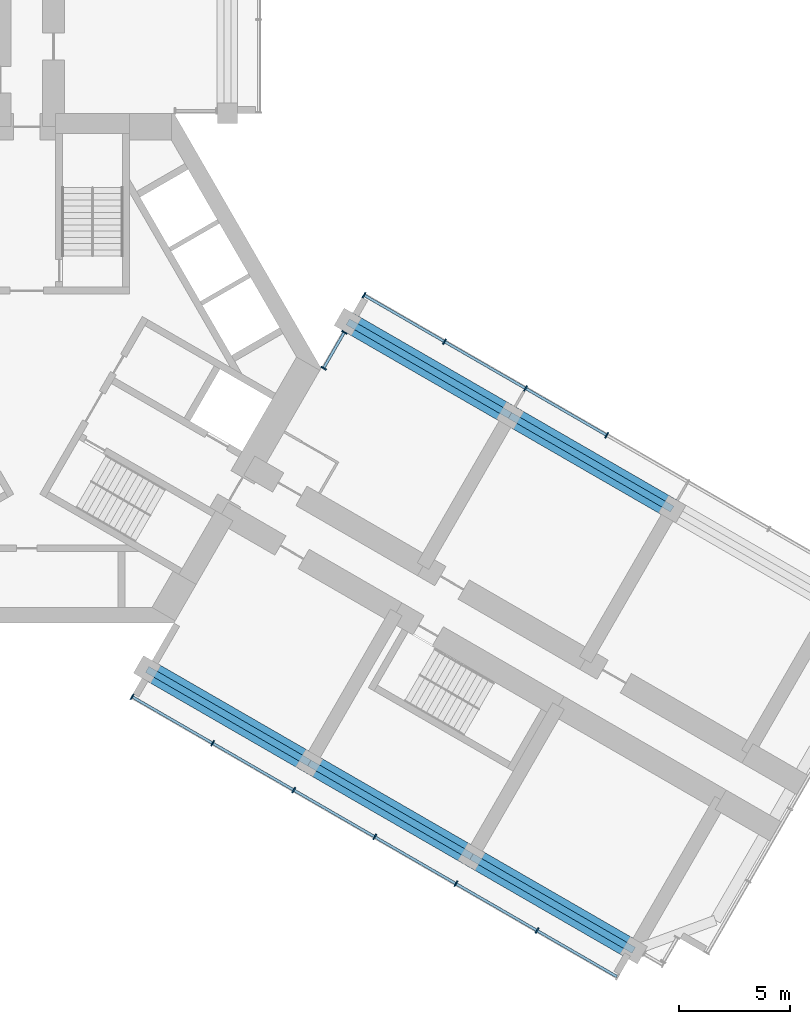
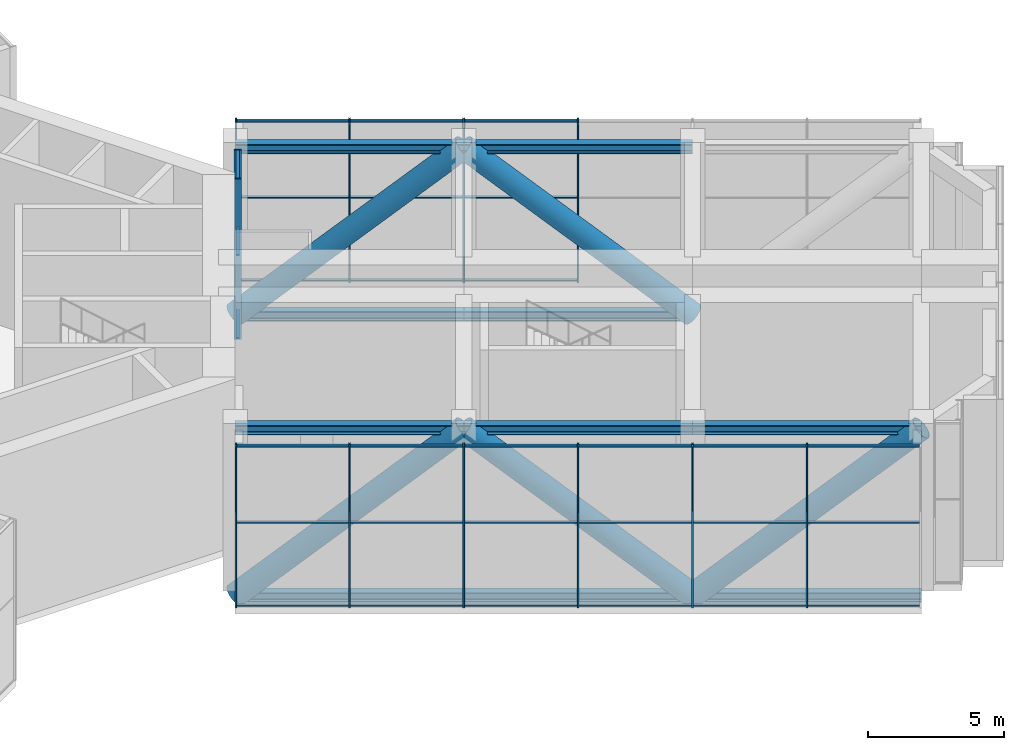
# One storey, part 4 of 16: 57 members, 3 elements without a shape of their own.
"""IFC4 building model written with IfcOpenShell, lengths in metres."""

from ifc_helpers import new_model, si_unit, direction, frame, origin, origin_2d, place, context, subcontext, project, spatial, rectangle, hollow_circle, i_section, extrude, material, material_profile, profile_set, type_object, element, aggregate, save


model = new_model("IFC4")

# Units and contexts
model_context = context("Model", 3, precision=1e-05, world=origin(), true_north=direction((0.0, 1.0)))
body_context = subcontext(model_context, "Body", "Model", "MODEL_VIEW")
ifc_project = project(units=[si_unit("LENGTHUNIT", "METRE"), si_unit("AREAUNIT", "SQUARE_METRE"), si_unit("VOLUMEUNIT", "CUBIC_METRE"), si_unit("PLANEANGLEUNIT", "RADIAN"), si_unit("MASSUNIT", "GRAM", prefix="KILO")], contexts=[model_context])

# Site, building, storey
site_placement = place(None, origin())
site = spatial("IfcSite", under=ifc_project, at=site_placement, CompositionType="ELEMENT")
building_placement = place(site_placement, origin())
building = spatial("IfcBuilding", under=site, at=building_placement, Name="Impinga Residences", CompositionType="ELEMENT")
storey_placement = place(building_placement, frame((0.0, 0.0, 181.0)))
storey = spatial("IfcBuildingStorey", under=building, at=storey_placement, Name="L45", CompositionType="ELEMENT", Elevation=181.0)

# Members
ifc_material_1 = material(Name="Steel S355", Category="steel")
ifc_material_profile_1 = material_profile(ifc_material_1, i_section(OverallWidth=0.306884765625, OverallDepth=0.431884765625, WebThickness=0.02099609375, FlangeThickness=0.0400390625, FilletRadius=0.027099609375, at=origin_2d()), Name="HE 400 M")
ifc_profile_set_1 = profile_set([ifc_material_profile_1], Name="Steel S355")
member_type_1 = type_object("IfcMemberType", Name="BT1 HE 400 M belt truss chord", PredefinedType="CHORD", material=ifc_profile_set_1)
for number, where, z_axis, x_axis, name in (
    (1, (14.39990234375, 2.078369140625, -0.51611328125), (0.86602925447, -0.499993330357, 0.0), (0.499993330357, 0.86602925447, 0.0), "Belt truss chord BT1 EA E1-E2 L45"),
    (2, (14.39990234375, 2.078369140625, 6.98388671875), (0.86602925447, -0.499993330357, 0.0), (0.499993330357, 0.86602925447, 0.0), "Belt truss chord BT1 EA E1-E2 L45"),
    (3, (21.674560546875, -2.12158203125, -0.51611328125), (0.86602925447, -0.499993330357, 0.0), (0.499993330357, 0.86602925447, 0.0), "Belt truss chord BT1 EA E2-E3 L45"),
    (4, (21.674560546875, -2.12158203125, 6.98388671875), (0.86602925447, -0.499993330357, 0.0), (0.499993330357, 0.86602925447, 0.0), "Belt truss chord BT1 EA E2-E3 L45"),
    (5, (5.39990234375, -13.510009765625, -0.51611328125), (0.86602925447, -0.499993330357, 0.0), (0.499993330357, 0.86602925447, 0.0), "Belt truss chord BT1 EF E1-E2 L45"),
    (6, (5.39990234375, -13.510009765625, 6.98388671875), (0.86602925447, -0.499993330357, 0.0), (0.499993330357, 0.86602925447, 0.0), "Belt truss chord BT1 EF E1-E2 L45"),
    (7, (12.674560546875, -17.7099609375, -0.51611328125), (0.86602925447, -0.499993330357, 0.0), (0.499993330357, 0.86602925447, 0.0), "Belt truss chord BT1 EF E2-E3 L45"),
    (8, (12.674560546875, -17.7099609375, 6.98388671875), (0.86602925447, -0.499993330357, 0.0), (0.499993330357, 0.86602925447, 0.0), "Belt truss chord BT1 EF E2-E3 L45"),
):
    element("IfcMember", number, at=place(storey_placement, frame(where, z_axis=z_axis, x_axis=x_axis)), inside=storey, type_object=member_type_1, Name=name, PredefinedType="CHORD", context=body_context, shape_type="SweptSolid", body=[
        extrude(i_section(OverallWidth=0.306884765625, OverallDepth=0.431884765625, WebThickness=0.02099609375, FlangeThickness=0.0400390625, FilletRadius=0.027099609375, at=origin_2d()), origin(), (0.0, 0.0, 1.0), 8.39990234375),
    ])
for number, where, z_axis, x_axis, name in (
    (9, (19.94921875, -21.909912109375, -0.51611328125), (0.866016669275, -0.500015128309, 0.0), (0.500015128309, 0.866016669275, 0.0), "Belt truss chord BT1 EF E3-E4 L45"),
    (10, (19.94921875, -21.909912109375, 6.98388671875), (0.866016669275, -0.500015128309, 0.0), (0.500015128309, 0.866016669275, 0.0), "Belt truss chord BT1 EF E3-E4 L45"),
):
    element("IfcMember", number, at=place(storey_placement, frame(where, z_axis=z_axis, x_axis=x_axis)), inside=storey, type_object=member_type_1, Name=name, PredefinedType="CHORD", context=body_context, shape_type="SweptSolid", body=[
        extrude(i_section(OverallWidth=0.306884765625, OverallDepth=0.431884765625, WebThickness=0.02099609375, FlangeThickness=0.0400390625, FilletRadius=0.027099609375, at=origin_2d()), origin(), (0.0, 0.0, 1.0), 8.400146484375),
    ])
ifc_material_2 = material(Name="Steel S355J2H", Category="steel")
ifc_material_profile_2 = material_profile(ifc_material_2, hollow_circle(Radius=0.457275390625, WallThickness=0.02490234375, at=origin_2d()), Name="CHS 914.4x25")
ifc_profile_set_2 = profile_set([ifc_material_profile_2], Name="Steel S355J2H")
member_type_2 = type_object("IfcMemberType", Name="BT3 CHS 914.4x25 belt truss diagonal at L45", PredefinedType="BRACE", material=ifc_profile_set_2)
for number, where, z_axis, x_axis, name in (
    (11, (14.39990234375, 2.078369140625, -0.51611328125), (0.646004328005, -0.372964139164, 0.666015134285), (0.499993330357, 0.86602925447, 0.0), "Belt truss diagonal BT3 EA E1-E2 L45"),
    (12, (21.674560546875, -2.12158203125, 6.98388671875), (0.646004328005, -0.372964139164, -0.666015134285), (0.499993330357, 0.86602925447, 0.0), "Belt truss diagonal BT3 EA E2-E3 L45"),
    (13, (5.39990234375, -13.510009765625, -0.51611328125), (0.646004328005, -0.372964139164, 0.666015134285), (0.499993330357, 0.86602925447, 0.0), "Belt truss diagonal BT3 EF E1-E2 L45"),
    (14, (12.674560546875, -17.7099609375, 6.98388671875), (0.646004328005, -0.372964139164, -0.666015134285), (0.499993330357, 0.86602925447, 0.0), "Belt truss diagonal BT3 EF E2-E3 L45"),
    (15, (19.94921875, -21.909912109375, -0.51611328125), (0.645999104371, -0.372982803356, 0.666009748843), (0.500015128309, 0.866016669275, 0.0), "Belt truss diagonal BT3 EF E3-E4 L45"),
):
    element("IfcMember", number, at=place(storey_placement, frame(where, z_axis=z_axis, x_axis=x_axis)), inside=storey, type_object=member_type_2, Name=name, PredefinedType="BRACE", context=body_context, shape_type="SweptSolid", body=[
        extrude(hollow_circle(Radius=0.457275390625, WallThickness=0.02490234375, at=origin_2d()), origin(), (0.0, 0.0, 1.0), 11.260986328125),
    ])

# Curtain wall, members
ifc_material_3 = material(Name="Aluminium stick curtain wall", Category="aluminium")
curtain_wall_type = type_object("IfcCurtainWallType", Name="CW4 plant floor louvred curtain wall", PredefinedType="USERDEFINED", material=ifc_material_3)
curtain_wall_1_placement = place(storey_placement, origin())
curtain_wall_1 = element("IfcCurtainWall", 16, at=curtain_wall_1_placement, inside=storey, type_object=curtain_wall_type, Name="Curtain wall CW4 L45", ObjectType="STICK CURTAIN WALL", PredefinedType="USERDEFINED")
ifc_material_4 = material(Name="Aluminium mullion", Category="aluminium")
ifc_material_profile_3 = material_profile(ifc_material_4, rectangle(XDim=0.06005859375, YDim=0.27490234375, at=origin_2d()), Name="60x275 mullion")
ifc_profile_set_3 = profile_set([ifc_material_profile_3], Name="Aluminium mullion")
member_type_3 = type_object("IfcMemberType", Name="CW4-M mullion 60x275", PredefinedType="MULLION", material=ifc_profile_set_3)
member_1_placement = place(storey_placement, frame((13.314208984375, -0.002197265625, 0.0), z_axis=(0.0, 0.0, 1.0), x_axis=(0.500000139919, 0.866025323002, 0.0)))
member_1 = element("IfcMember", 17, at=member_1_placement, type_object=member_type_3, Name="CW4 mullion 1", PredefinedType="MULLION", context=body_context, shape_type="SweptSolid", body=[
    extrude(rectangle(XDim=0.06005859375, YDim=0.27490234375, at=origin_2d()), origin(), (0.0, 0.0, 1.0), 7.199951171875),
])
member_2_placement = place(storey_placement, frame((14.2451171875, 1.610107421875, 0.0), z_axis=(0.0, 0.0, 1.0), x_axis=(0.500000139919, 0.866025323002, 0.0)))
member_2 = element("IfcMember", 18, at=member_2_placement, type_object=member_type_3, Name="CW4 mullion 2", PredefinedType="MULLION", context=body_context, shape_type="SweptSolid", body=[
    extrude(rectangle(XDim=0.06005859375, YDim=0.27490234375, at=origin_2d()), origin(), (0.0, 0.0, 1.0), 7.199951171875),
])

curtain_wall_2_placement = place(storey_placement, origin())
curtain_wall_2 = element("IfcCurtainWall", 19, at=curtain_wall_2_placement, inside=storey, type_object=curtain_wall_type, Name="Curtain wall CW4 L45", ObjectType="STICK CURTAIN WALL", PredefinedType="USERDEFINED")
member_3_placement = place(storey_placement, frame((15.1259765625, 3.27587890625, 0.0), z_axis=(0.0, 0.0, 1.0), x_axis=(0.866025402048, -0.500000003008, 0.0)))
member_3 = element("IfcMember", 20, at=member_3_placement, type_object=member_type_3, Name="CW4 mullion 1", PredefinedType="MULLION", context=body_context, shape_type="SweptSolid", body=[
    extrude(rectangle(XDim=0.06005859375, YDim=0.27490234375, at=origin_2d()), origin(), (0.0, 0.0, 1.0), 7.199951171875),
])
member_4_placement = place(storey_placement, frame((18.7373046875, 1.19091796875, 0.0), z_axis=(0.0, 0.0, 1.0), x_axis=(0.866025402048, -0.500000003008, 0.0)))
member_4 = element("IfcMember", 21, at=member_4_placement, type_object=member_type_3, Name="CW4 mullion 2", PredefinedType="MULLION", context=body_context, shape_type="SweptSolid", body=[
    extrude(rectangle(XDim=0.06005859375, YDim=0.27490234375, at=origin_2d()), origin(), (0.0, 0.0, 1.0), 7.199951171875),
])
member_5_placement = place(storey_placement, frame((22.37451171875, -0.9091796875, 0.0), z_axis=(0.0, 0.0, 1.0), x_axis=(0.866025402048, -0.500000003008, 0.0)))
member_5 = element("IfcMember", 22, at=member_5_placement, type_object=member_type_3, Name="CW4 mullion 3", PredefinedType="MULLION", context=body_context, shape_type="SweptSolid", body=[
    extrude(rectangle(XDim=0.06005859375, YDim=0.27490234375, at=origin_2d()), origin(), (0.0, 0.0, 1.0), 7.199951171875),
])
member_6_placement = place(storey_placement, frame((26.011962890625, -3.009033203125, 0.0), z_axis=(0.0, 0.0, 1.0), x_axis=(0.866025402048, -0.500000003008, 0.0)))
member_6 = element("IfcMember", 23, at=member_6_placement, type_object=member_type_3, Name="CW4 mullion 4", PredefinedType="MULLION", context=body_context, shape_type="SweptSolid", body=[
    extrude(rectangle(XDim=0.06005859375, YDim=0.27490234375, at=origin_2d()), origin(), (0.0, 0.0, 1.0), 7.199951171875),
])

curtain_wall_3_placement = place(storey_placement, origin())
curtain_wall_3 = element("IfcCurtainWall", 24, at=curtain_wall_3_placement, inside=storey, type_object=curtain_wall_type, Name="Curtain wall CW4 L45", ObjectType="STICK CURTAIN WALL", PredefinedType="USERDEFINED")
member_7_placement = place(storey_placement, frame((22.886474609375, -25.222412109375, 0.0), z_axis=(0.0, 0.0, 1.0), x_axis=(-0.866025402048, 0.500000003008, 0.0)))
member_7 = element("IfcMember", 25, at=member_7_placement, type_object=member_type_3, Name="CW4 mullion 2", PredefinedType="MULLION", context=body_context, shape_type="SweptSolid", body=[
    extrude(rectangle(XDim=0.06005859375, YDim=0.27490234375, at=origin_2d()), origin(), (0.0, 0.0, 1.0), 7.199951171875),
])
member_8_placement = place(storey_placement, frame((19.249267578125, -23.122314453125, 0.0), z_axis=(0.0, 0.0, 1.0), x_axis=(-0.866025402048, 0.500000003008, 0.0)))
member_8 = element("IfcMember", 26, at=member_8_placement, type_object=member_type_3, Name="CW4 mullion 3", PredefinedType="MULLION", context=body_context, shape_type="SweptSolid", body=[
    extrude(rectangle(XDim=0.06005859375, YDim=0.27490234375, at=origin_2d()), origin(), (0.0, 0.0, 1.0), 7.199951171875),
])
member_9_placement = place(storey_placement, frame((15.61181640625, -21.0224609375, 0.0), z_axis=(0.0, 0.0, 1.0), x_axis=(-0.866025402048, 0.500000003008, 0.0)))
member_9 = element("IfcMember", 27, at=member_9_placement, type_object=member_type_3, Name="CW4 mullion 4", PredefinedType="MULLION", context=body_context, shape_type="SweptSolid", body=[
    extrude(rectangle(XDim=0.06005859375, YDim=0.27490234375, at=origin_2d()), origin(), (0.0, 0.0, 1.0), 7.199951171875),
])
member_10_placement = place(storey_placement, frame((11.974609375, -18.92236328125, 0.0), z_axis=(0.0, 0.0, 1.0), x_axis=(-0.866025402048, 0.500000003008, 0.0)))
member_10 = element("IfcMember", 28, at=member_10_placement, type_object=member_type_3, Name="CW4 mullion 5", PredefinedType="MULLION", context=body_context, shape_type="SweptSolid", body=[
    extrude(rectangle(XDim=0.06005859375, YDim=0.27490234375, at=origin_2d()), origin(), (0.0, 0.0, 1.0), 7.199951171875),
])
member_11_placement = place(storey_placement, frame((8.33740234375, -16.822509765625, 0.0), z_axis=(0.0, 0.0, 1.0), x_axis=(-0.866025402048, 0.500000003008, 0.0)))
member_11 = element("IfcMember", 29, at=member_11_placement, type_object=member_type_3, Name="CW4 mullion 6", PredefinedType="MULLION", context=body_context, shape_type="SweptSolid", body=[
    extrude(rectangle(XDim=0.06005859375, YDim=0.27490234375, at=origin_2d()), origin(), (0.0, 0.0, 1.0), 7.199951171875),
])
member_12_placement = place(storey_placement, frame((4.72607421875, -14.737548828125, 0.0), z_axis=(0.0, 0.0, 1.0), x_axis=(-0.866025402048, 0.500000003008, 0.0)))
member_12 = element("IfcMember", 30, at=member_12_placement, type_object=member_type_3, Name="CW4 mullion 7", PredefinedType="MULLION", context=body_context, shape_type="SweptSolid", body=[
    extrude(rectangle(XDim=0.06005859375, YDim=0.27490234375, at=origin_2d()), origin(), (0.0, 0.0, 1.0), 7.199951171875),
])

# Member
ifc_material_5 = material(Name="Aluminium transom", Category="aluminium")
ifc_material_profile_4 = material_profile(ifc_material_5, rectangle(XDim=0.06005859375, YDim=0.1201171875, at=origin_2d()), Name="60x120 transom")
ifc_profile_set_4 = profile_set([ifc_material_profile_4], Name="Aluminium transom")
member_type_4 = type_object("IfcMemberType", Name="CW4-T transom 60x120", PredefinedType="USERDEFINED", material=ifc_profile_set_4)
member_13_placement = place(storey_placement, frame((13.3291015625, 0.023681640625, 0.030029296875), z_axis=(0.500058636115, 0.865991547561, 0.0), x_axis=(0.0, 0.0, 1.0)))
member_13 = element("IfcMember", 31, at=member_13_placement, type_object=member_type_4, Name="CW4 transom 1.1", ObjectType="TRANSOM", PredefinedType="USERDEFINED", context=body_context, shape_type="SweptSolid", body=[
    extrude(rectangle(XDim=0.06005859375, YDim=0.1201171875, at=origin_2d()), origin(), (0.0, 0.0, 1.0), 1.802001953125),
])

member_14_placement = place(storey_placement, frame((13.3291015625, 0.023681640625, 3.75), z_axis=(0.500058636115, 0.865991547561, 0.0), x_axis=(0.0, 0.0, 1.0)))
member_14 = element("IfcMember", 32, at=member_14_placement, type_object=member_type_4, Name="CW4 transom 1.2", ObjectType="TRANSOM", PredefinedType="USERDEFINED", context=body_context, shape_type="SweptSolid", body=[
    extrude(rectangle(XDim=0.06005859375, YDim=0.1201171875, at=origin_2d()), origin(), (0.0, 0.0, 1.0), 1.802001953125),
])

member_15_placement = place(storey_placement, frame((13.3291015625, 0.023681640625, 7.169921875), z_axis=(0.500058636115, 0.865991547561, 0.0), x_axis=(0.0, 0.0, 1.0)))
member_15 = element("IfcMember", 33, at=member_15_placement, type_object=member_type_4, Name="CW4 transom 1.3", ObjectType="TRANSOM", PredefinedType="USERDEFINED", context=body_context, shape_type="SweptSolid", body=[
    extrude(rectangle(XDim=0.06005859375, YDim=0.1201171875, at=origin_2d()), origin(), (0.0, 0.0, 1.0), 1.802001953125),
])

aggregate(curtain_wall_1, [member_1, member_2, member_13, member_14, member_15])

member_16_placement = place(storey_placement, frame((15.15185546875, 3.260986328125, 0.030029296875), z_axis=(0.866019409031, -0.500010383074, 0.0), x_axis=(0.0, 0.0, 1.0)))
member_16 = element("IfcMember", 34, at=member_16_placement, type_object=member_type_4, Name="CW4 transom 1.1", ObjectType="TRANSOM", PredefinedType="USERDEFINED", context=body_context, shape_type="SweptSolid", body=[
    extrude(rectangle(XDim=0.06005859375, YDim=0.1201171875, at=origin_2d()), origin(), (0.0, 0.0, 1.0), 4.1103515625),
])

member_17_placement = place(storey_placement, frame((15.15185546875, 3.260986328125, 3.75), z_axis=(0.866019409031, -0.500010383074, 0.0), x_axis=(0.0, 0.0, 1.0)))
member_17 = element("IfcMember", 35, at=member_17_placement, type_object=member_type_4, Name="CW4 transom 1.2", ObjectType="TRANSOM", PredefinedType="USERDEFINED", context=body_context, shape_type="SweptSolid", body=[
    extrude(rectangle(XDim=0.06005859375, YDim=0.1201171875, at=origin_2d()), origin(), (0.0, 0.0, 1.0), 4.1103515625),
])

member_18_placement = place(storey_placement, frame((15.15185546875, 3.260986328125, 7.169921875), z_axis=(0.866019409031, -0.500010383074, 0.0), x_axis=(0.0, 0.0, 1.0)))
member_18 = element("IfcMember", 36, at=member_18_placement, type_object=member_type_4, Name="CW4 transom 1.3", ObjectType="TRANSOM", PredefinedType="USERDEFINED", context=body_context, shape_type="SweptSolid", body=[
    extrude(rectangle(XDim=0.06005859375, YDim=0.1201171875, at=origin_2d()), origin(), (0.0, 0.0, 1.0), 4.1103515625),
])

member_19_placement = place(storey_placement, frame((18.76318359375, 1.17578125, 0.030029296875), z_axis=(0.866050071143, -0.499957272447, 0.0), x_axis=(0.0, 0.0, 1.0)))
member_19 = element("IfcMember", 37, at=member_19_placement, type_object=member_type_4, Name="CW4 transom 2.1", ObjectType="TRANSOM", PredefinedType="USERDEFINED", context=body_context, shape_type="SweptSolid", body=[
    extrude(rectangle(XDim=0.06005859375, YDim=0.1201171875, at=origin_2d()), origin(), (0.0, 0.0, 1.0), 4.139892578125),
])

member_20_placement = place(storey_placement, frame((18.76318359375, 1.17578125, 3.75), z_axis=(0.866050071143, -0.499957272447, 0.0), x_axis=(0.0, 0.0, 1.0)))
member_20 = element("IfcMember", 38, at=member_20_placement, type_object=member_type_4, Name="CW4 transom 2.2", ObjectType="TRANSOM", PredefinedType="USERDEFINED", context=body_context, shape_type="SweptSolid", body=[
    extrude(rectangle(XDim=0.06005859375, YDim=0.1201171875, at=origin_2d()), origin(), (0.0, 0.0, 1.0), 4.139892578125),
])

member_21_placement = place(storey_placement, frame((18.76318359375, 1.17578125, 7.169921875), z_axis=(0.866050071143, -0.499957272447, 0.0), x_axis=(0.0, 0.0, 1.0)))
member_21 = element("IfcMember", 39, at=member_21_placement, type_object=member_type_4, Name="CW4 transom 2.3", ObjectType="TRANSOM", PredefinedType="USERDEFINED", context=body_context, shape_type="SweptSolid", body=[
    extrude(rectangle(XDim=0.06005859375, YDim=0.1201171875, at=origin_2d()), origin(), (0.0, 0.0, 1.0), 4.139892578125),
])

member_22_placement = place(storey_placement, frame((22.400634765625, -0.924072265625, 0.030029296875), z_axis=(0.866009793405, -0.500027036996, 0.0), x_axis=(0.0, 0.0, 1.0)))
member_22 = element("IfcMember", 40, at=member_22_placement, type_object=member_type_4, Name="CW4 transom 3.1", ObjectType="TRANSOM", PredefinedType="USERDEFINED", context=body_context, shape_type="SweptSolid", body=[
    extrude(rectangle(XDim=0.06005859375, YDim=0.1201171875, at=origin_2d()), origin(), (0.0, 0.0, 1.0), 4.139892578125),
])

member_23_placement = place(storey_placement, frame((22.400634765625, -0.924072265625, 3.75), z_axis=(0.866009793405, -0.500027036996, 0.0), x_axis=(0.0, 0.0, 1.0)))
member_23 = element("IfcMember", 41, at=member_23_placement, type_object=member_type_4, Name="CW4 transom 3.2", ObjectType="TRANSOM", PredefinedType="USERDEFINED", context=body_context, shape_type="SweptSolid", body=[
    extrude(rectangle(XDim=0.06005859375, YDim=0.1201171875, at=origin_2d()), origin(), (0.0, 0.0, 1.0), 4.139892578125),
])

member_24_placement = place(storey_placement, frame((22.400634765625, -0.924072265625, 7.169921875), z_axis=(0.866009793405, -0.500027036996, 0.0), x_axis=(0.0, 0.0, 1.0)))
member_24 = element("IfcMember", 42, at=member_24_placement, type_object=member_type_4, Name="CW4 transom 3.3", ObjectType="TRANSOM", PredefinedType="USERDEFINED", context=body_context, shape_type="SweptSolid", body=[
    extrude(rectangle(XDim=0.06005859375, YDim=0.1201171875, at=origin_2d()), origin(), (0.0, 0.0, 1.0), 4.139892578125),
])

aggregate(curtain_wall_2, [member_3, member_4, member_5, member_6, member_16, member_17, member_18, member_19, member_20, member_21, member_22, member_23, member_24])

member_25_placement = place(storey_placement, frame((26.471923828125, -27.29248046875, 0.030029296875), z_axis=(-0.866030279993, 0.499991554064, 0.0), x_axis=(0.0, 0.0, 1.0)))
member_25 = element("IfcMember", 43, at=member_25_placement, type_object=member_type_4, Name="CW4 transom 1.1", ObjectType="TRANSOM", PredefinedType="USERDEFINED", context=body_context, shape_type="SweptSolid", body=[
    extrude(rectangle(XDim=0.06005859375, YDim=0.1201171875, at=origin_2d()), origin(), (0.0, 0.0, 1.0), 4.10986328125),
])

member_26_placement = place(storey_placement, frame((26.471923828125, -27.29248046875, 3.75), z_axis=(-0.866030279993, 0.499991554064, 0.0), x_axis=(0.0, 0.0, 1.0)))
member_26 = element("IfcMember", 44, at=member_26_placement, type_object=member_type_4, Name="CW4 transom 1.2", ObjectType="TRANSOM", PredefinedType="USERDEFINED", context=body_context, shape_type="SweptSolid", body=[
    extrude(rectangle(XDim=0.06005859375, YDim=0.1201171875, at=origin_2d()), origin(), (0.0, 0.0, 1.0), 4.10986328125),
])

member_27_placement = place(storey_placement, frame((26.471923828125, -27.29248046875, 7.169921875), z_axis=(-0.866030279993, 0.499991554064, 0.0), x_axis=(0.0, 0.0, 1.0)))
member_27 = element("IfcMember", 45, at=member_27_placement, type_object=member_type_4, Name="CW4 transom 1.3", ObjectType="TRANSOM", PredefinedType="USERDEFINED", context=body_context, shape_type="SweptSolid", body=[
    extrude(rectangle(XDim=0.06005859375, YDim=0.1201171875, at=origin_2d()), origin(), (0.0, 0.0, 1.0), 4.10986328125),
])

member_28_placement = place(storey_placement, frame((22.860595703125, -25.20751953125, 0.030029296875), z_axis=(-0.866024536972, 0.500001501361, 0.0), x_axis=(0.0, 0.0, 1.0)))
member_28 = element("IfcMember", 46, at=member_28_placement, type_object=member_type_4, Name="CW4 transom 2.1", ObjectType="TRANSOM", PredefinedType="USERDEFINED", context=body_context, shape_type="SweptSolid", body=[
    extrude(rectangle(XDim=0.06005859375, YDim=0.1201171875, at=origin_2d()), origin(), (0.0, 0.0, 1.0), 4.14013671875),
])

member_29_placement = place(storey_placement, frame((22.860595703125, -25.20751953125, 3.75), z_axis=(-0.866024536972, 0.500001501361, 0.0), x_axis=(0.0, 0.0, 1.0)))
member_29 = element("IfcMember", 47, at=member_29_placement, type_object=member_type_4, Name="CW4 transom 2.2", ObjectType="TRANSOM", PredefinedType="USERDEFINED", context=body_context, shape_type="SweptSolid", body=[
    extrude(rectangle(XDim=0.06005859375, YDim=0.1201171875, at=origin_2d()), origin(), (0.0, 0.0, 1.0), 4.14013671875),
])

member_30_placement = place(storey_placement, frame((22.860595703125, -25.20751953125, 7.169921875), z_axis=(-0.866024536972, 0.500001501361, 0.0), x_axis=(0.0, 0.0, 1.0)))
member_30 = element("IfcMember", 48, at=member_30_placement, type_object=member_type_4, Name="CW4 transom 2.3", ObjectType="TRANSOM", PredefinedType="USERDEFINED", context=body_context, shape_type="SweptSolid", body=[
    extrude(rectangle(XDim=0.06005859375, YDim=0.1201171875, at=origin_2d()), origin(), (0.0, 0.0, 1.0), 4.14013671875),
])

member_31_placement = place(storey_placement, frame((19.22314453125, -23.107421875, 0.030029296875), z_axis=(-0.866009793405, 0.500027036996, 0.0), x_axis=(0.0, 0.0, 1.0)))
member_31 = element("IfcMember", 49, at=member_31_placement, type_object=member_type_4, Name="CW4 transom 3.1", ObjectType="TRANSOM", PredefinedType="USERDEFINED", context=body_context, shape_type="SweptSolid", body=[
    extrude(rectangle(XDim=0.06005859375, YDim=0.1201171875, at=origin_2d()), origin(), (0.0, 0.0, 1.0), 4.139892578125),
])

member_32_placement = place(storey_placement, frame((19.22314453125, -23.107421875, 3.75), z_axis=(-0.866009793405, 0.500027036996, 0.0), x_axis=(0.0, 0.0, 1.0)))
member_32 = element("IfcMember", 50, at=member_32_placement, type_object=member_type_4, Name="CW4 transom 3.2", ObjectType="TRANSOM", PredefinedType="USERDEFINED", context=body_context, shape_type="SweptSolid", body=[
    extrude(rectangle(XDim=0.06005859375, YDim=0.1201171875, at=origin_2d()), origin(), (0.0, 0.0, 1.0), 4.139892578125),
])

member_33_placement = place(storey_placement, frame((19.22314453125, -23.107421875, 7.169921875), z_axis=(-0.866009793405, 0.500027036996, 0.0), x_axis=(0.0, 0.0, 1.0)))
member_33 = element("IfcMember", 51, at=member_33_placement, type_object=member_type_4, Name="CW4 transom 3.3", ObjectType="TRANSOM", PredefinedType="USERDEFINED", context=body_context, shape_type="SweptSolid", body=[
    extrude(rectangle(XDim=0.06005859375, YDim=0.1201171875, at=origin_2d()), origin(), (0.0, 0.0, 1.0), 4.139892578125),
])

member_34_placement = place(storey_placement, frame((15.5859375, -21.00732421875, 0.030029296875), z_axis=(-0.866050071143, 0.499957272447, 0.0), x_axis=(0.0, 0.0, 1.0)))
member_34 = element("IfcMember", 52, at=member_34_placement, type_object=member_type_4, Name="CW4 transom 4.1", ObjectType="TRANSOM", PredefinedType="USERDEFINED", context=body_context, shape_type="SweptSolid", body=[
    extrude(rectangle(XDim=0.06005859375, YDim=0.1201171875, at=origin_2d()), origin(), (0.0, 0.0, 1.0), 4.139892578125),
])

member_35_placement = place(storey_placement, frame((15.5859375, -21.00732421875, 3.75), z_axis=(-0.866050071143, 0.499957272447, 0.0), x_axis=(0.0, 0.0, 1.0)))
member_35 = element("IfcMember", 53, at=member_35_placement, type_object=member_type_4, Name="CW4 transom 4.2", ObjectType="TRANSOM", PredefinedType="USERDEFINED", context=body_context, shape_type="SweptSolid", body=[
    extrude(rectangle(XDim=0.06005859375, YDim=0.1201171875, at=origin_2d()), origin(), (0.0, 0.0, 1.0), 4.139892578125),
])

member_36_placement = place(storey_placement, frame((15.5859375, -21.00732421875, 7.169921875), z_axis=(-0.866050071143, 0.499957272447, 0.0), x_axis=(0.0, 0.0, 1.0)))
member_36 = element("IfcMember", 54, at=member_36_placement, type_object=member_type_4, Name="CW4 transom 4.3", ObjectType="TRANSOM", PredefinedType="USERDEFINED", context=body_context, shape_type="SweptSolid", body=[
    extrude(rectangle(XDim=0.06005859375, YDim=0.1201171875, at=origin_2d()), origin(), (0.0, 0.0, 1.0), 4.139892578125),
])

member_37_placement = place(storey_placement, frame((11.94873046875, -18.907470703125, 0.030029296875), z_axis=(-0.866024536972, 0.500001501361, 0.0), x_axis=(0.0, 0.0, 1.0)))
member_37 = element("IfcMember", 55, at=member_37_placement, type_object=member_type_4, Name="CW4 transom 5.1", ObjectType="TRANSOM", PredefinedType="USERDEFINED", context=body_context, shape_type="SweptSolid", body=[
    extrude(rectangle(XDim=0.06005859375, YDim=0.1201171875, at=origin_2d()), origin(), (0.0, 0.0, 1.0), 4.14013671875),
])

member_38_placement = place(storey_placement, frame((11.94873046875, -18.907470703125, 3.75), z_axis=(-0.866024536972, 0.500001501361, 0.0), x_axis=(0.0, 0.0, 1.0)))
member_38 = element("IfcMember", 56, at=member_38_placement, type_object=member_type_4, Name="CW4 transom 5.2", ObjectType="TRANSOM", PredefinedType="USERDEFINED", context=body_context, shape_type="SweptSolid", body=[
    extrude(rectangle(XDim=0.06005859375, YDim=0.1201171875, at=origin_2d()), origin(), (0.0, 0.0, 1.0), 4.14013671875),
])

member_39_placement = place(storey_placement, frame((11.94873046875, -18.907470703125, 7.169921875), z_axis=(-0.866024536972, 0.500001501361, 0.0), x_axis=(0.0, 0.0, 1.0)))
member_39 = element("IfcMember", 57, at=member_39_placement, type_object=member_type_4, Name="CW4 transom 5.3", ObjectType="TRANSOM", PredefinedType="USERDEFINED", context=body_context, shape_type="SweptSolid", body=[
    extrude(rectangle(XDim=0.06005859375, YDim=0.1201171875, at=origin_2d()), origin(), (0.0, 0.0, 1.0), 4.14013671875),
])

member_40_placement = place(storey_placement, frame((8.311279296875, -16.807373046875, 0.030029296875), z_axis=(-0.866030279993, 0.499991554064, 0.0), x_axis=(0.0, 0.0, 1.0)))
member_40 = element("IfcMember", 58, at=member_40_placement, type_object=member_type_4, Name="CW4 transom 6.1", ObjectType="TRANSOM", PredefinedType="USERDEFINED", context=body_context, shape_type="SweptSolid", body=[
    extrude(rectangle(XDim=0.06005859375, YDim=0.1201171875, at=origin_2d()), origin(), (0.0, 0.0, 1.0), 4.10986328125),
])

member_41_placement = place(storey_placement, frame((8.311279296875, -16.807373046875, 3.75), z_axis=(-0.866030279993, 0.499991554064, 0.0), x_axis=(0.0, 0.0, 1.0)))
member_41 = element("IfcMember", 59, at=member_41_placement, type_object=member_type_4, Name="CW4 transom 6.2", ObjectType="TRANSOM", PredefinedType="USERDEFINED", context=body_context, shape_type="SweptSolid", body=[
    extrude(rectangle(XDim=0.06005859375, YDim=0.1201171875, at=origin_2d()), origin(), (0.0, 0.0, 1.0), 4.10986328125),
])

member_42_placement = place(storey_placement, frame((8.311279296875, -16.807373046875, 7.169921875), z_axis=(-0.866030279993, 0.499991554064, 0.0), x_axis=(0.0, 0.0, 1.0)))
member_42 = element("IfcMember", 60, at=member_42_placement, type_object=member_type_4, Name="CW4 transom 6.3", ObjectType="TRANSOM", PredefinedType="USERDEFINED", context=body_context, shape_type="SweptSolid", body=[
    extrude(rectangle(XDim=0.06005859375, YDim=0.1201171875, at=origin_2d()), origin(), (0.0, 0.0, 1.0), 4.10986328125),
])

aggregate(curtain_wall_3, [member_7, member_8, member_9, member_10, member_11, member_12, member_25, member_26, member_27, member_28, member_29, member_30, member_31, member_32, member_33, member_34, member_35, member_36, member_37, member_38, member_39, member_40, member_41, member_42])

save(model, "model.ifc")
